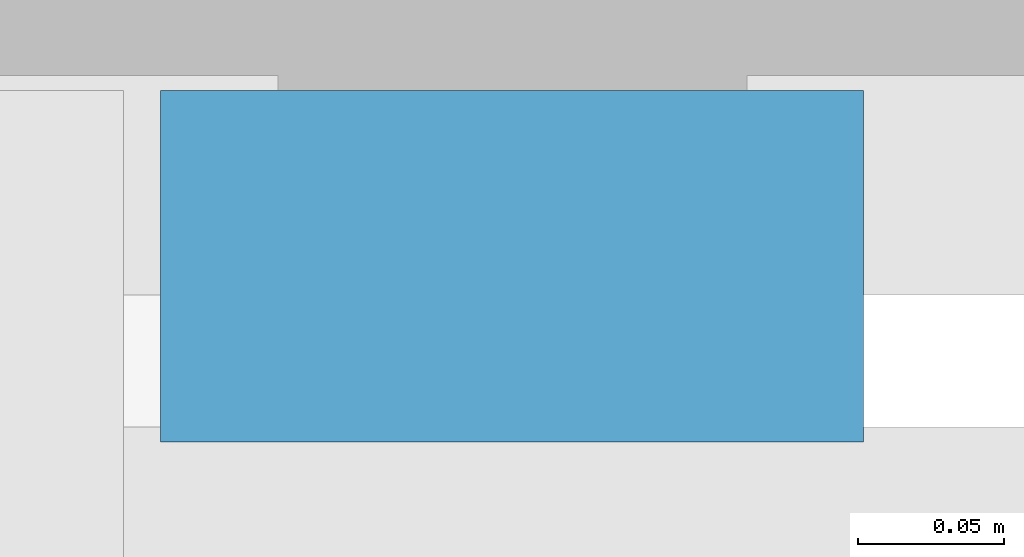
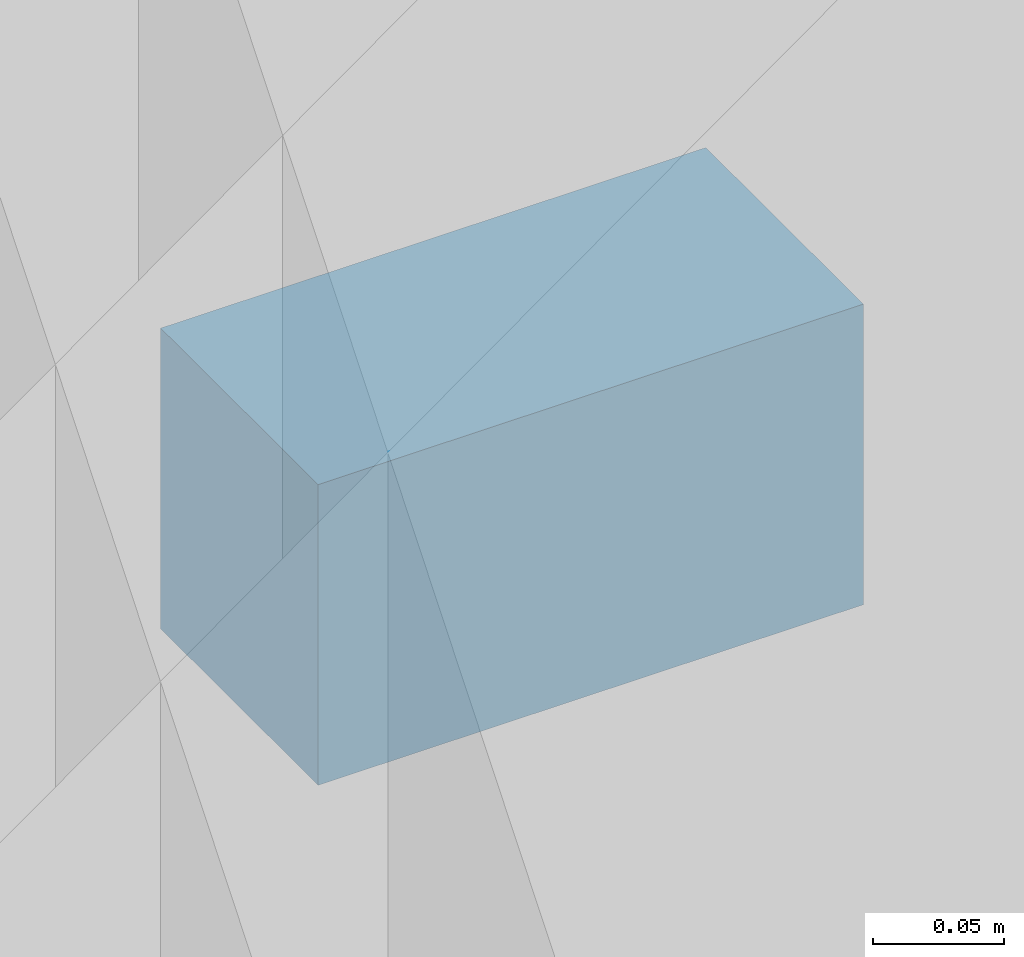
# One storey, part 36 of 53: 1 discrete accessory.
"""IFC4 building model written with IfcOpenShell, lengths in metres."""

from ifc_helpers import new_model, si_unit, direction, frame, origin, origin_2d, place, context, subcontext, project, spatial, rectangle, extrude, material, type_object, element, save


model = new_model("IFC4")

# Units and contexts
model_context = context("Model", 3, precision=1e-05, world=origin(), true_north=direction((0.0, 1.0)))
body_context = subcontext(model_context, "Body", "Model", "MODEL_VIEW")
ifc_project = project(units=[si_unit("LENGTHUNIT", "METRE"), si_unit("AREAUNIT", "SQUARE_METRE"), si_unit("VOLUMEUNIT", "CUBIC_METRE"), si_unit("PLANEANGLEUNIT", "RADIAN"), si_unit("MASSUNIT", "GRAM", prefix="KILO")], contexts=[model_context])

# Site, building, storey
site_placement = place(None, origin())
site = spatial("IfcSite", under=ifc_project, at=site_placement, CompositionType="ELEMENT")
building_placement = place(site_placement, origin())
building = spatial("IfcBuilding", under=site, at=building_placement, Name="Nzembalo Square Collegiate School", CompositionType="ELEMENT")
storey_placement = place(building_placement, frame((0.0, 0.0, 13.60009765625)))
storey = spatial("IfcBuildingStorey", under=building, at=storey_placement, Name="L03", CompositionType="ELEMENT", Elevation=13.60009765625)

# Discrete accessory
ifc_material = material(Name="Steel S355", Category="steel")
discrete_accessory_type = type_object("IfcDiscreteAccessoryType", Name="BK01", PredefinedType="BRACKET", material=ifc_material)
discrete_accessory_placement = place(storey_placement, frame((34.7548828125, 79.0224609375, 1.87939453125), z_axis=(0.0, 0.0, 1.0), x_axis=(1.0, 0.0, 0.0)))
element("IfcDiscreteAccessory", 1, at=discrete_accessory_placement, inside=storey, type_object=discrete_accessory_type, Name="Screen bracket BK01-024", PredefinedType="BRACKET", context=body_context, shape_type="SweptSolid", body=[
    extrude(rectangle(XDim=0.239990234375, YDim=0.1201171875, at=origin_2d()), origin(), (0.0, 0.0, 1.0), 0.139892578125),
])

save(model, "model.ifc")
